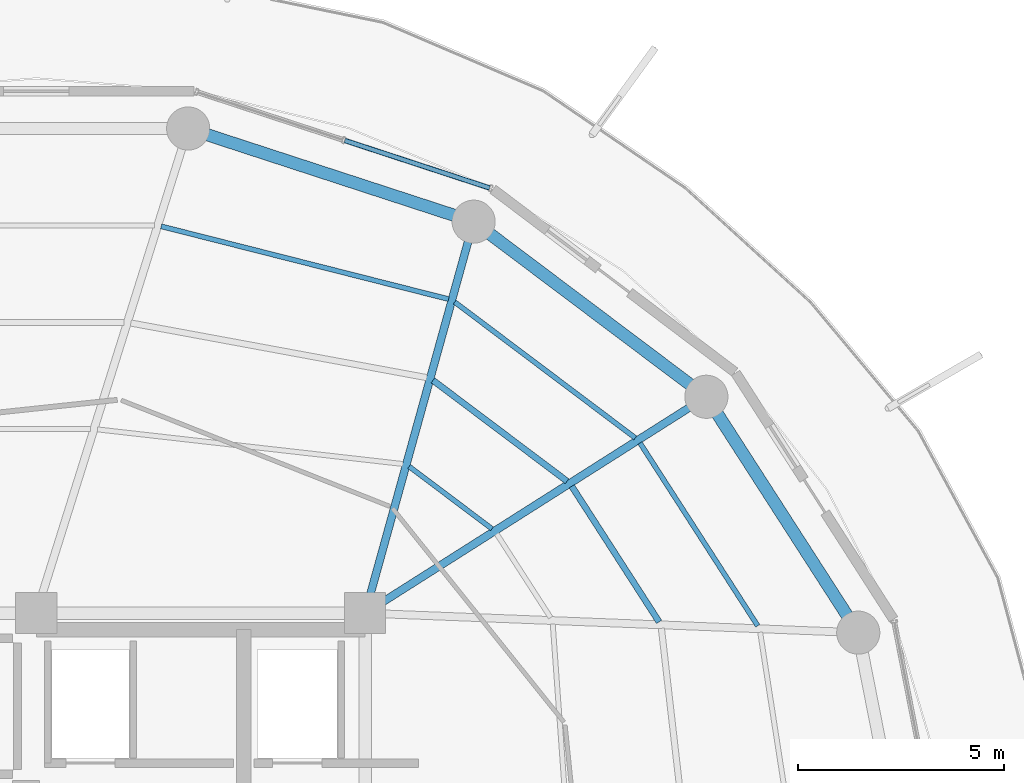
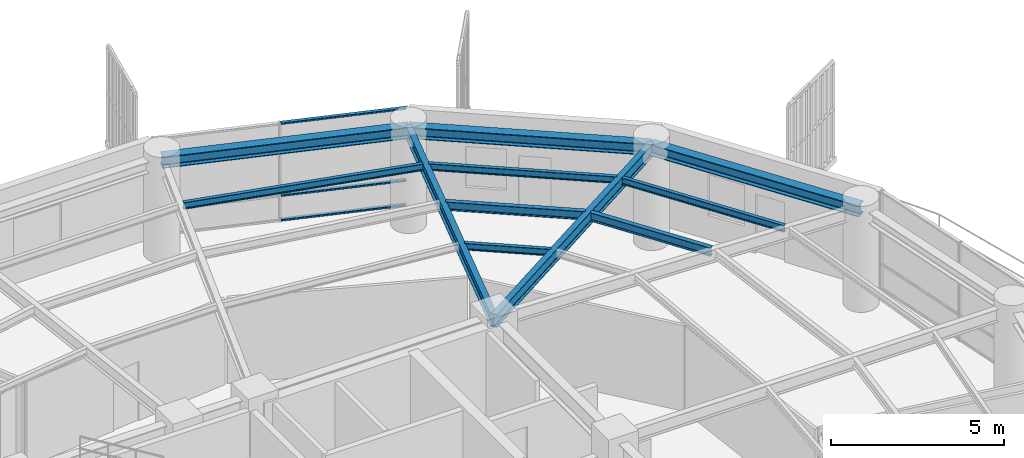
# One storey, part 21 of 31: 11 beams, 3 members, 1 element without a shape of its own.
"""IFC4 building model written with IfcOpenShell, lengths in metres."""

from ifc_helpers import new_model, si_unit, direction, frame, origin, origin_2d, place, context, subcontext, project, spatial, hollow_rectangle, i_section, extrude, material, layer, layer_set, material_profile, profile_set, type_object, element, aggregate, save


model = new_model("IFC4")

# Units and contexts
model_context = context("Model", 3, precision=1e-05, world=origin(), true_north=direction((0.0, 1.0)))
body_context = subcontext(model_context, "Body", "Model", "MODEL_VIEW")
ifc_project = project(units=[si_unit("LENGTHUNIT", "METRE"), si_unit("AREAUNIT", "SQUARE_METRE"), si_unit("VOLUMEUNIT", "CUBIC_METRE"), si_unit("PLANEANGLEUNIT", "RADIAN"), si_unit("MASSUNIT", "GRAM", prefix="KILO")], contexts=[model_context])

# Site, building, storey
site_placement = place(None, origin())
site = spatial("IfcSite", under=ifc_project, at=site_placement, CompositionType="ELEMENT")
building_placement = place(site_placement, origin())
building = spatial("IfcBuilding", under=site, at=building_placement, Name="Kelanora Arch Commons", CompositionType="ELEMENT")
storey_placement = place(building_placement, frame((0.0, 0.0, 226.949951171875)))
storey = spatial("IfcBuildingStorey", under=building, at=storey_placement, Name="L58", CompositionType="ELEMENT", Elevation=226.949951171875)

# Beams
ifc_material_1 = material(Name="Steel S355", Category="steel")
ifc_material_profile_1 = material_profile(ifc_material_1, i_section(OverallWidth=0.14990234375, OverallDepth=0.300048828125, WebThickness=0.007080078125, FlangeThickness=0.0107421875, FilletRadius=0.014892578125, at=origin_2d()), Name="IPE300")
ifc_profile_set_1 = profile_set([ifc_material_profile_1], Name="Steel S355")
beam_type_1 = type_object("IfcBeamType", Name="BM-JST-01", PredefinedType="JOIST", material=ifc_profile_set_1)
beam_1_placement = place(storey_placement, frame((89.152099609375, 64.786865234375, 3.340087890625), z_axis=(-0.541411265892, 0.840757896879, 0.0), x_axis=(-0.840757896879, -0.541411265892, 0.0)))
element("IfcBeam", 1, at=beam_1_placement, inside=storey, type_object=beam_type_1, Name="Secondary Chord Joist BJB-02 L58", PredefinedType="JOIST", context=body_context, shape_type="SweptSolid", body=[
    extrude(i_section(OverallWidth=0.14990234375, OverallDepth=0.300048828125, WebThickness=0.007080078125, FlangeThickness=0.0107421875, FilletRadius=0.014892578125, at=origin_2d()), origin(), (0.0, 0.0, 1.0), 3.92529296875),
])
beam_2_placement = place(storey_placement, frame((86.912841796875, 68.209716796875, 3.340087890625), z_axis=(-0.799101708656, 0.601195857624, 0.0), x_axis=(-0.601195857624, -0.799101708656, 0.0)))
element("IfcBeam", 2, at=beam_2_placement, inside=storey, type_object=beam_type_1, Name="Secondary Chord Joist BJB-04 L58", PredefinedType="JOIST", context=body_context, shape_type="SweptSolid", body=[
    extrude(i_section(OverallWidth=0.14990234375, OverallDepth=0.300048828125, WebThickness=0.007080078125, FlangeThickness=0.0107421875, FilletRadius=0.014892578125, at=origin_2d()), origin(), (0.0, 0.0, 1.0), 4.080810546875),
])
ifc_material_profile_2 = material_profile(ifc_material_1, i_section(OverallWidth=0.1201171875, OverallDepth=0.239990234375, WebThickness=0.006103515625, FlangeThickness=0.009765625, FilletRadius=0.014892578125, at=origin_2d()), Name="IPE240")
ifc_profile_set_2 = profile_set([ifc_material_profile_2], Name="Steel S355")
beam_type_2 = type_object("IfcBeamType", Name="BM-JST-02", PredefinedType="JOIST", material=ifc_profile_set_2)
beam_3_placement = place(storey_placement, frame((91.55126953125, 64.69189453125, 3.3701171875), z_axis=(-0.541382492679, 0.840776424872, 0.0), x_axis=(-0.840776424872, -0.541382492679, 0.0)))
element("IfcBeam", 3, at=beam_3_placement, inside=storey, type_object=beam_type_2, Name="Secondary Chord Joist BJC-02 L58", PredefinedType="JOIST", context=body_context, shape_type="SweptSolid", body=[
    extrude(i_section(OverallWidth=0.1201171875, OverallDepth=0.239990234375, WebThickness=0.006103515625, FlangeThickness=0.009765625, FilletRadius=0.014892578125, at=origin_2d()), origin(), (0.0, 0.0, 1.0), 5.29052734375),
])
beam_4_placement = place(storey_placement, frame((85.086669921875, 67.051513671875, 3.3701171875), z_axis=(-0.79911638933, 0.601176343766, 0.0), x_axis=(-0.601176343766, -0.79911638933, 0.0)))
element("IfcBeam", 4, at=beam_4_placement, inside=storey, type_object=beam_type_2, Name="Secondary Chord Joist BJA-04 L58", PredefinedType="JOIST", context=body_context, shape_type="SweptSolid", body=[
    extrude(i_section(OverallWidth=0.1201171875, OverallDepth=0.239990234375, WebThickness=0.006103515625, FlangeThickness=0.009765625, FilletRadius=0.014892578125, at=origin_2d()), origin(), (0.0, 0.0, 1.0), 2.522216796875),
])
beam_5_placement = place(storey_placement, frame((88.5732421875, 69.2626953125, 3.3701171875), z_axis=(-0.799109197935, 0.601185902842, 0.0), x_axis=(-0.601185902842, -0.799109197935, 0.0)))
element("IfcBeam", 5, at=beam_5_placement, inside=storey, type_object=beam_type_2, Name="Secondary Chord Joist BJC-04 L58", PredefinedType="JOIST", context=body_context, shape_type="SweptSolid", body=[
    extrude(i_section(OverallWidth=0.1201171875, OverallDepth=0.239990234375, WebThickness=0.006103515625, FlangeThickness=0.009765625, FilletRadius=0.014892578125, at=origin_2d()), origin(), (0.0, 0.0, 1.0), 5.497802734375),
])
beam_6_placement = place(storey_placement, frame((84.029541015625, 72.639892578125, 3.3701171875), z_axis=(-0.969370989998, 0.245601066263, 0.0), x_axis=(-0.245601066263, -0.969370989998, 0.0)))
element("IfcBeam", 6, at=beam_6_placement, inside=storey, type_object=beam_type_2, Name="Secondary Chord Joist BJC-06 L58", PredefinedType="JOIST", context=body_context, shape_type="SweptSolid", body=[
    extrude(i_section(OverallWidth=0.1201171875, OverallDepth=0.239990234375, WebThickness=0.006103515625, FlangeThickness=0.009765625, FilletRadius=0.014892578125, at=origin_2d()), origin(), (0.0, 0.0, 1.0), 7.2119140625),
])
ifc_material_profile_3 = material_profile(ifc_material_1, i_section(OverallWidth=0.18994140625, OverallDepth=0.449951171875, WebThickness=0.009521484375, FlangeThickness=0.0146484375, FilletRadius=0.02099609375, at=origin_2d()), Name="IPE450")
ifc_profile_set_3 = profile_set([ifc_material_profile_3], Name="Steel S355")
beam_type_3 = type_object("IfcBeamType", Name="BM-RAD-Z4", PredefinedType="BEAM", material=ifc_profile_set_3)
beam_7_placement = place(storey_placement, frame((82.0, 65.0, 3.26513671875), z_axis=(0.844507208607, 0.535544185489, 0.0), x_axis=(-0.535544185489, 0.844507208607, 0.0)))
element("IfcBeam", 7, at=beam_7_placement, inside=storey, type_object=beam_type_3, Name="Radial Floor Girder BR-04 L58", PredefinedType="BEAM", context=body_context, shape_type="SweptSolid", body=[
    extrude(i_section(OverallWidth=0.18994140625, OverallDepth=0.449951171875, WebThickness=0.009521484375, FlangeThickness=0.0146484375, FilletRadius=0.02099609375, at=origin_2d()), origin(), (0.0, 0.0, 1.0), 9.830078125),
])
beam_8_placement = place(storey_placement, frame((82.0, 65.0, 3.26513671875), z_axis=(0.267120164296, 0.963663228429, 0.0), x_axis=(-0.963663228429, 0.267120164296, 0.0)))
element("IfcBeam", 8, at=beam_8_placement, inside=storey, type_object=beam_type_3, Name="Radial Floor Girder BR-06 L58", PredefinedType="BEAM", context=body_context, shape_type="SweptSolid", body=[
    extrude(i_section(OverallWidth=0.18994140625, OverallDepth=0.449951171875, WebThickness=0.009521484375, FlangeThickness=0.0146484375, FilletRadius=0.02099609375, at=origin_2d()), origin(), (0.0, 0.0, 1.0), 9.8828125),
])
ifc_material_profile_4 = material_profile(ifc_material_1, i_section(OverallWidth=0.300048828125, OverallDepth=0.39990234375, WebThickness=0.013427734375, FlangeThickness=0.02392578125, FilletRadius=0.027099609375, at=origin_2d()), Name="HEB400")
ifc_profile_set_4 = profile_set([ifc_material_profile_4], Name="Steel S355")
beam_type_4 = type_object("IfcBeamType", Name="BM-SPN-Z4", PredefinedType="SPANDREL", material=ifc_profile_set_4)
beam_9_placement = place(storey_placement, frame((93.99658203125, 64.525634765625, 3.2900390625), z_axis=(-0.541364878868, 0.840787766281, 0.0), x_axis=(-0.840787766281, -0.541364878868, 0.0)))
element("IfcBeam", 9, at=beam_9_placement, inside=storey, type_object=beam_type_4, Name="Perimeter Spandrel Beam BS-02 L58", PredefinedType="SPANDREL", context=body_context, shape_type="SweptSolid", body=[
    extrude(i_section(OverallWidth=0.300048828125, OverallDepth=0.39990234375, WebThickness=0.013427734375, FlangeThickness=0.02392578125, FilletRadius=0.027099609375, at=origin_2d()), origin(), (0.0, 0.0, 1.0), 6.825439453125),
])
beam_10_placement = place(storey_placement, frame((90.301513671875, 70.264404296875, 3.2900390625), z_axis=(-0.799114211715, 0.60117923836, 0.0), x_axis=(-0.60117923836, -0.799114211715, 0.0)))
element("IfcBeam", 10, at=beam_10_placement, inside=storey, type_object=beam_type_4, Name="Perimeter Spandrel Beam BS-04 L58", PredefinedType="SPANDREL", context=body_context, shape_type="SweptSolid", body=[
    extrude(i_section(OverallWidth=0.300048828125, OverallDepth=0.39990234375, WebThickness=0.013427734375, FlangeThickness=0.02392578125, FilletRadius=0.027099609375, at=origin_2d()), origin(), (0.0, 0.0, 1.0), 7.0849609375),
])
beam_11_placement = place(storey_placement, frame((84.639892578125, 74.523681640625, 3.2900390625), z_axis=(-0.950656361143, 0.310245842872, 0.0), x_axis=(-0.310245842872, -0.950656361143, 0.0)))
element("IfcBeam", 11, at=beam_11_placement, inside=storey, type_object=beam_type_4, Name="Perimeter Spandrel Beam BS-06 L58", PredefinedType="SPANDREL", context=body_context, shape_type="SweptSolid", body=[
    extrude(i_section(OverallWidth=0.300048828125, OverallDepth=0.39990234375, WebThickness=0.013427734375, FlangeThickness=0.02392578125, FilletRadius=0.027099609375, at=origin_2d()), origin(), (0.0, 0.0, 1.0), 7.304931640625),
])

# Curtain wall, members
ifc_material_2 = material(Name="Terracotta ceramic-fritted low-E glass and aluminium", Category="masonry")
ifc_layer = layer(ifc_material_2, 0.175048828125)
ifc_layer_set = layer_set([ifc_layer], Name="Terracotta ceramic-fritted low-E glass and aluminium")
curtain_wall_type = type_object("IfcCurtainWallType", Name="CW-SYS-02", PredefinedType="NOTDEFINED", material=ifc_layer_set)
curtain_wall_placement = place(storey_placement, origin())
curtain_wall = element("IfcCurtainWall", 12, at=curtain_wall_placement, inside=storey, type_object=curtain_wall_type, Name="Unitised Curtain Wall L58-B03", PredefinedType="NOTDEFINED")
ifc_material_3 = material(Name="Powder-coated aluminium terracotta", Category="masonry")
ifc_material_profile_5 = material_profile(ifc_material_3, hollow_rectangle(XDim=0.1201171875, YDim=0.06005859375, WallThickness=0.0048828125, InnerFilletRadius=0.0048828125, OuterFilletRadius=0.010009765625, at=origin_2d()), Name="CWT120x60")
ifc_profile_set_5 = profile_set([ifc_material_profile_5], Name="Powder-coated aluminium terracotta")
member_type = type_object("IfcMemberType", Name="CWT-STD", PredefinedType="USERDEFINED", material=ifc_profile_set_5)
member_1_placement = place(storey_placement, frame((85.02880859375, 75.343994140625, 0.030029296875), z_axis=(-0.950226025222, 0.311561392011, 0.0), x_axis=(-0.311561392011, -0.950226025222, 0.0)))
member_1 = element("IfcMember", 13, at=member_1_placement, type_object=member_type, Name="CW-02 transom 1.1", ObjectType="TRANSOM", PredefinedType="USERDEFINED", context=body_context, shape_type="SweptSolid", body=[
    extrude(hollow_rectangle(XDim=0.1201171875, YDim=0.06005859375, WallThickness=0.0048828125, InnerFilletRadius=0.0048828125, OuterFilletRadius=0.010009765625, at=origin_2d()), origin(), (0.0, 0.0, 1.0), 3.707275390625),
])
member_2_placement = place(storey_placement, frame((85.02880859375, 75.343994140625, 0.900146484375), z_axis=(-0.950226025222, 0.311561392011, 0.0), x_axis=(-0.311561392011, -0.950226025222, 0.0)))
member_2 = element("IfcMember", 14, at=member_2_placement, type_object=member_type, Name="CW-02 transom 1.2", ObjectType="TRANSOM", PredefinedType="USERDEFINED", context=body_context, shape_type="SweptSolid", body=[
    extrude(hollow_rectangle(XDim=0.1201171875, YDim=0.06005859375, WallThickness=0.0048828125, InnerFilletRadius=0.0048828125, OuterFilletRadius=0.010009765625, at=origin_2d()), origin(), (0.0, 0.0, 1.0), 3.707275390625),
])
member_3_placement = place(storey_placement, frame((85.02880859375, 75.343994140625, 3.445068359375), z_axis=(-0.950226025222, 0.311561392011, 0.0), x_axis=(-0.311561392011, -0.950226025222, 0.0)))
member_3 = element("IfcMember", 15, at=member_3_placement, type_object=member_type, Name="CW-02 transom 1.3", ObjectType="TRANSOM", PredefinedType="USERDEFINED", context=body_context, shape_type="SweptSolid", body=[
    extrude(hollow_rectangle(XDim=0.1201171875, YDim=0.06005859375, WallThickness=0.0048828125, InnerFilletRadius=0.0048828125, OuterFilletRadius=0.010009765625, at=origin_2d()), origin(), (0.0, 0.0, 1.0), 3.707275390625),
])
aggregate(curtain_wall, [member_1, member_2, member_3])

save(model, "model.ifc")
